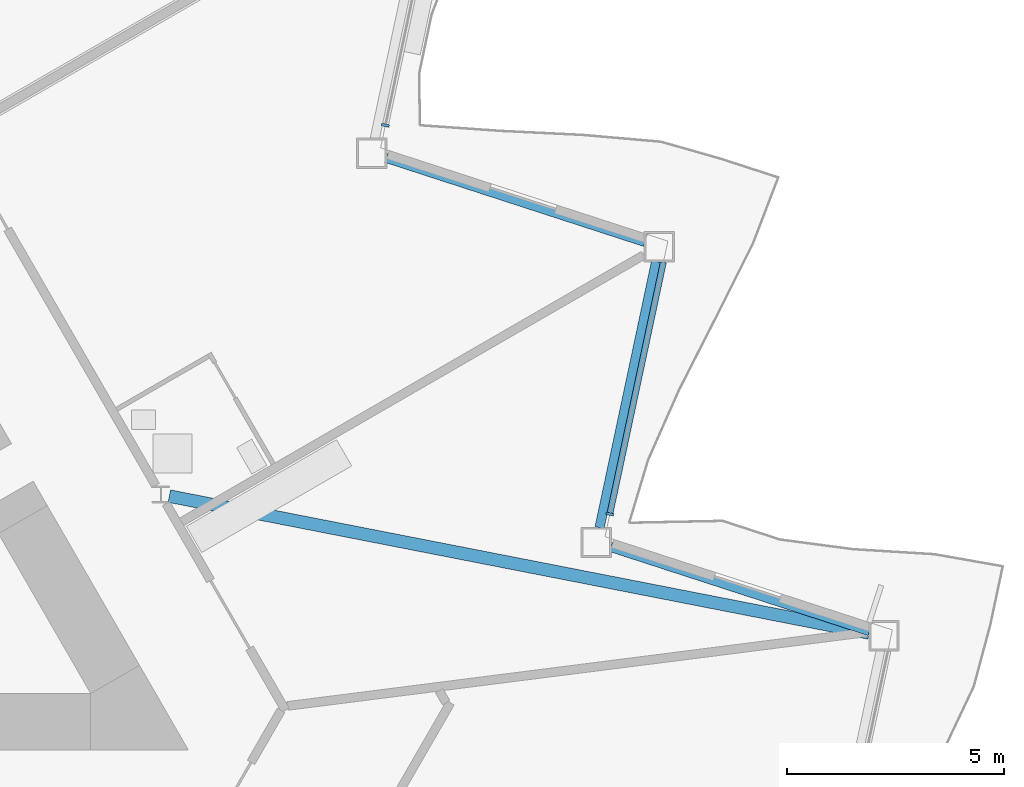
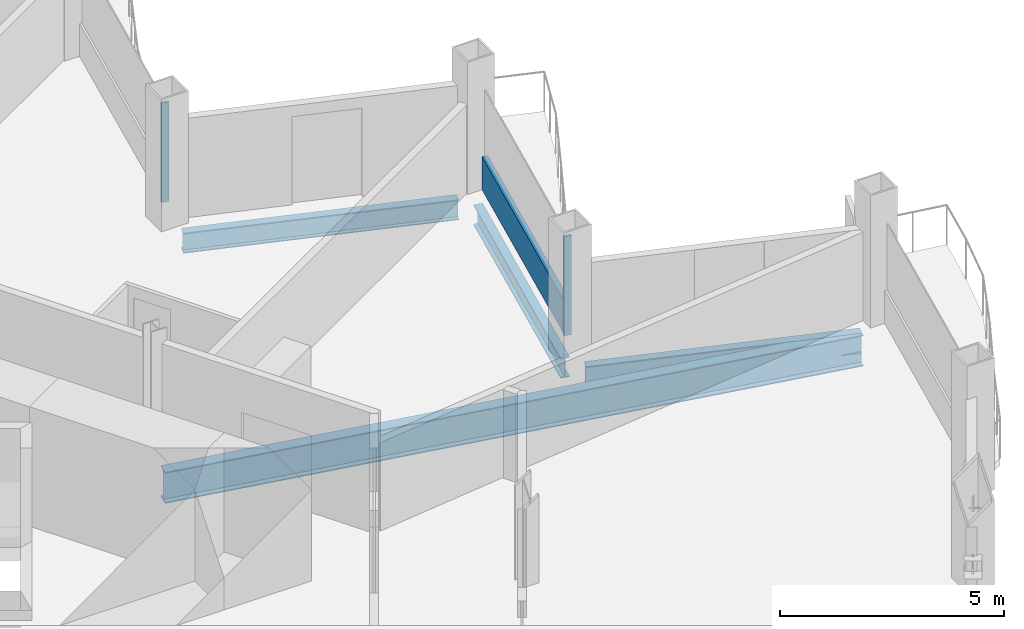
# One storey, part 7 of 23: 4 beams, 3 members, 2 elements without a shape of their own.
"""IFC4 building model written with IfcOpenShell, lengths in metres."""

from ifc_helpers import new_model, si_unit, direction, frame, origin, origin_2d, place, context, subcontext, project, spatial, rectangle, i_section, extrude, material, layer, layer_set, material_profile, profile_set, type_object, element, aggregate, save


model = new_model("IFC4")

# Units and contexts
model_context = context("Model", 3, precision=1e-05, world=origin(), true_north=direction((0.0, 1.0)))
body_context = subcontext(model_context, "Body", "Model", "MODEL_VIEW")
ifc_project = project(units=[si_unit("LENGTHUNIT", "METRE"), si_unit("AREAUNIT", "SQUARE_METRE"), si_unit("VOLUMEUNIT", "CUBIC_METRE"), si_unit("PLANEANGLEUNIT", "RADIAN"), si_unit("MASSUNIT", "GRAM", prefix="KILO")], contexts=[model_context])

# Site, building, storey
site_placement = place(None, origin())
site = spatial("IfcSite", under=ifc_project, at=site_placement, CompositionType="ELEMENT")
building_placement = place(site_placement, origin())
building = spatial("IfcBuilding", under=site, at=building_placement, Name="Cormorant Prow Tower", CompositionType="ELEMENT")
storey_placement = place(building_placement, frame((0.0, 0.0, 267.0)))
storey = spatial("IfcBuildingStorey", under=building, at=storey_placement, Name="L60", CompositionType="ELEMENT", Elevation=267.0)

# Curtain wall, member
ifc_material_1 = material(Name="Aluminium 6063-T6", Category="aluminium")
ifc_layer = layer(ifc_material_1, 0.179931640625)
ifc_layer_set = layer_set([ifc_layer], Name="Aluminium 6063-T6")
curtain_wall_type = type_object("IfcCurtainWallType", Name="Hotel unitised curtain wall 180", PredefinedType="NOTDEFINED", material=ifc_layer_set)
curtain_wall_1_placement = place(storey_placement, origin())
curtain_wall_1 = element("IfcCurtainWall", 1, at=curtain_wall_1_placement, inside=storey, type_object=curtain_wall_type, Name="Hotel curtain wall ENE02", PredefinedType="NOTDEFINED")
ifc_material_2 = material(Name="Aluminium 6063-T6", Category="aluminium")
ifc_material_profile_1 = material_profile(ifc_material_2, rectangle(XDim=0.179931640625, YDim=0.06005859375, at=origin_2d()), Name="Hotel mullion 60x180")
ifc_profile_set_1 = profile_set([ifc_material_profile_1], Name="Aluminium 6063-T6")
member_type_1 = type_object("IfcMemberType", Name="Hotel mullion 60x180", PredefinedType="MULLION", material=ifc_profile_set_1)
member_1_placement = place(storey_placement, frame((24.734130859375, -3.217529296875, 0.0), z_axis=(0.0, 0.0, 1.0), x_axis=(-0.978147594975, 0.207911717911, 0.0)))
member_1 = element("IfcMember", 2, at=member_1_placement, type_object=member_type_1, Name="Hotel mullion ENE02", PredefinedType="MULLION", context=body_context, shape_type="SweptSolid", body=[
    extrude(rectangle(XDim=0.179931640625, YDim=0.06005859375, at=origin_2d()), origin(), (0.0, 0.0, 1.0), 2.700927734375),
])

curtain_wall_2_placement = place(storey_placement, origin())
curtain_wall_2 = element("IfcCurtainWall", 3, at=curtain_wall_2_placement, inside=storey, type_object=curtain_wall_type, Name="Hotel curtain wall ENE04", PredefinedType="NOTDEFINED")
member_2_placement = place(storey_placement, frame((19.55126953125, 5.75927734375, 0.0), z_axis=(0.0, 0.0, 1.0), x_axis=(-0.978147588777, 0.20791174707, 0.0)))
member_2 = element("IfcMember", 4, at=member_2_placement, type_object=member_type_1, Name="Hotel mullion ENE04", PredefinedType="MULLION", context=body_context, shape_type="SweptSolid", body=[
    extrude(rectangle(XDim=0.179931640625, YDim=0.06005859375, at=origin_2d()), origin(), (0.0, 0.0, 1.0), 2.700927734375),
])
aggregate(curtain_wall_2, [member_2])

# Member
ifc_material_3 = material(Name="Terracotta", Category="masonry")
ifc_material_profile_2 = material_profile(ifc_material_3, rectangle(XDim=0.139892578125, YDim=0.89990234375, at=origin_2d()), Name="Hotel terracotta spandrel rail 140x900")
ifc_profile_set_2 = profile_set([ifc_material_profile_2], Name="Terracotta")
member_type_2 = type_object("IfcMemberType", Name="Hotel terracotta spandrel rail 140x900", PredefinedType="USERDEFINED", material=ifc_profile_set_2)
member_3_placement = place(storey_placement, frame((24.740234375, -3.18798828125, 0.449951171875), z_axis=(0.207926913672, 0.978144364892, 0.0), x_axis=(-0.978144364892, 0.207926913672, 0.0)))
member_3 = element("IfcMember", 5, at=member_3_placement, type_object=member_type_2, Name="Hotel spandrel rail ENE02", ObjectType="TRANSOM", PredefinedType="USERDEFINED", context=body_context, shape_type="SweptSolid", body=[
    extrude(rectangle(XDim=0.139892578125, YDim=0.89990234375, at=origin_2d()), origin(), (0.0, 0.0, 1.0), 5.911865234375),
])

aggregate(curtain_wall_1, [member_1, member_3])

# Beams
ifc_material_4 = material(Name="Structural steel ASTM A992 Gr 50", Category="steel")
ifc_material_profile_3 = material_profile(ifc_material_4, i_section(OverallWidth=0.29296875, OverallDepth=0.845703125, WebThickness=0.015380859375, FlangeThickness=0.0244140625, at=origin_2d()), Name="W33x141")
ifc_profile_set_3 = profile_set([ifc_material_profile_3], Name="Structural steel ASTM A992 Gr 50")
beam_type_1 = type_object("IfcBeamType", Name="Radial floor beam W33x141", PredefinedType="BEAM", material=ifc_profile_set_3)
beam_placement = place(storey_placement, frame((14.5634765625, -2.80322265625, -0.77294921875), z_axis=(0.981419133752, -0.191876220269, 0.0), x_axis=(0.191876220269, 0.981419133752, 0.0)))
element("IfcBeam", 6, at=beam_placement, inside=storey, type_object=beam_type_1, Name="Radial floor beam FB2 10 L60", PredefinedType="BEAM", context=body_context, shape_type="SweptSolid", body=[
    extrude(i_section(OverallWidth=0.29296875, OverallDepth=0.845703125, WebThickness=0.015380859375, FlangeThickness=0.0244140625, at=origin_2d()), origin(), (0.0, 0.0, 1.0), 16.462158203125),
])
ifc_material_5 = material(Name="Structural steel ASTM A992 Gr 50", Category="steel")
ifc_material_profile_4 = material_profile(ifc_material_5, i_section(OverallWidth=0.2138671875, OverallDepth=0.549072265625, WebThickness=0.0146484375, FlangeThickness=0.023681640625, at=origin_2d()), Name="W21x93")
ifc_profile_set_4 = profile_set([ifc_material_profile_4], Name="Structural steel ASTM A992 Gr 50")
beam_type_2 = type_object("IfcBeamType", Name="Spandrel beam W21x93", PredefinedType="SPANDREL", material=ifc_profile_set_4)
for number, where, z_axis, x_axis, name in (
    (7, (30.730224609375, -5.9208984375, -0.62451171875), (-0.951061771288, 0.309000820701, 0.0), (-0.309000820701, -0.951061771288, 0.0), "Spandrel beam SB2 ENE01-ENE02 L60"),
    (8, (24.49609375, -3.529296875, -0.62451171875), (0.207941499013, 0.978141264331, 0.0), (-0.978141264331, 0.207941499013, 0.0), "Spandrel beam SB2 ENE02-ENE03 L60"),
    (9, (25.5419921875, 3.0654296875, -0.62451171875), (-0.951061771288, 0.309000820701, 0.0), (-0.309000820701, -0.951061771288, 0.0), "Spandrel beam SB2 ENE03-ENE04 L60"),
):
    element("IfcBeam", number, at=place(storey_placement, frame(where, z_axis=z_axis, x_axis=x_axis)), inside=storey, type_object=beam_type_2, Name=name, PredefinedType="SPANDREL", context=body_context, shape_type="SweptSolid", body=[
        extrude(i_section(OverallWidth=0.2138671875, OverallDepth=0.549072265625, WebThickness=0.0146484375, FlangeThickness=0.023681640625, at=origin_2d()), origin(), (0.0, 0.0, 1.0), 6.28125),
    ])

save(model, "model.ifc")
